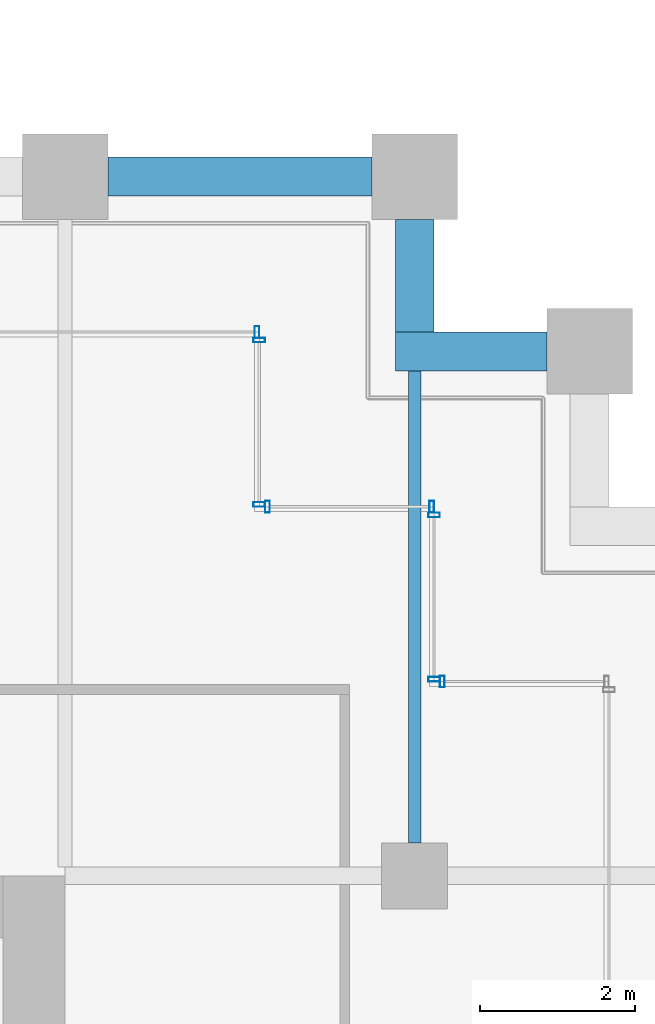
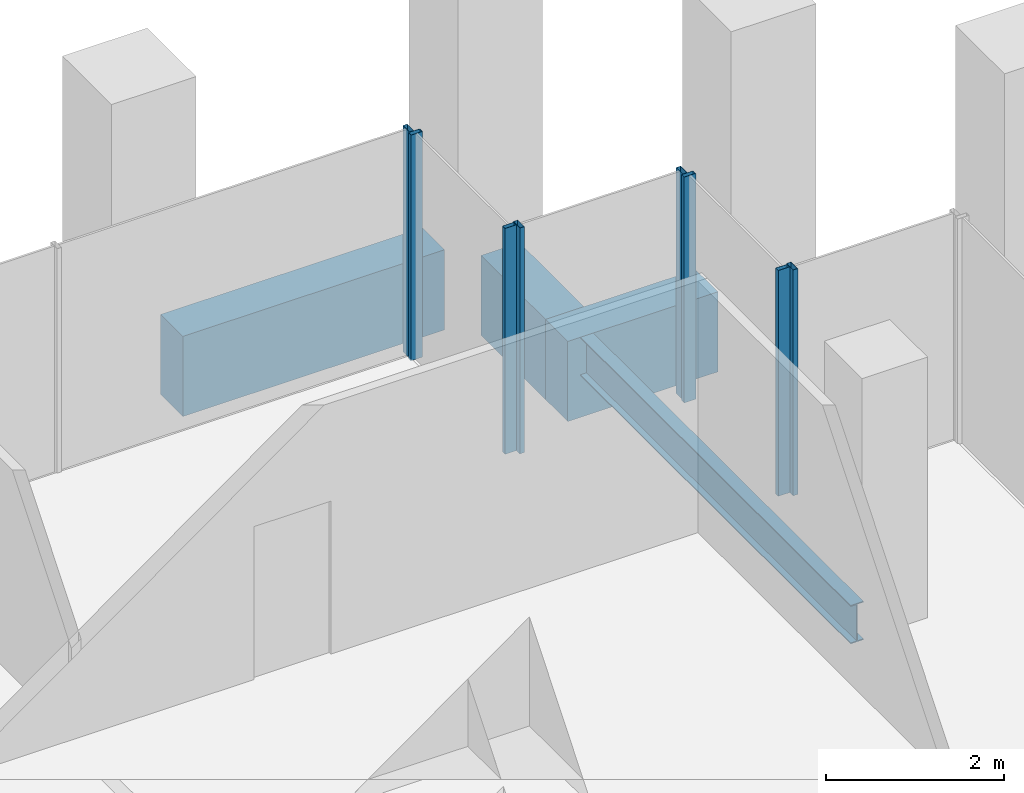
# One storey, part 45 of 56: 8 members, 4 beams, 5 elements without a shape of their own.
"""IFC4 building model written with IfcOpenShell, lengths in metres."""

from ifc_helpers import new_model, si_unit, direction, frame, origin, origin_2d, place, context, subcontext, project, spatial, rectangle, hollow_rectangle, i_section, extrude, material, material_profile, profile_set, type_object, element, aggregate, save


model = new_model("IFC4")

# Units and contexts
model_context = context("Model", 3, precision=1e-05, world=origin(), true_north=direction((0.0, 1.0)))
body_context = subcontext(model_context, "Body", "Model", "MODEL_VIEW")
ifc_project = project(units=[si_unit("LENGTHUNIT", "METRE"), si_unit("AREAUNIT", "SQUARE_METRE"), si_unit("VOLUMEUNIT", "CUBIC_METRE"), si_unit("PLANEANGLEUNIT", "RADIAN"), si_unit("MASSUNIT", "GRAM", prefix="KILO")], contexts=[model_context])

# Site, building, storey
site_placement = place(None, origin())
site = spatial("IfcSite", under=ifc_project, at=site_placement, CompositionType="ELEMENT")
building_placement = place(site_placement, origin())
building = spatial("IfcBuilding", under=site, at=building_placement, Name="Altepetl Exchange Towers", CompositionType="ELEMENT")
storey_placement = place(building_placement, frame((0.0, 0.0, 69.0)))
storey = spatial("IfcBuildingStorey", under=building, at=storey_placement, Name="L16", CompositionType="ELEMENT", Elevation=69.0)

# Beam
ifc_material_1 = material(Name="Steel S355", Category="steel")
ifc_material_profile_1 = material_profile(ifc_material_1, i_section(OverallWidth=0.166015625, OverallDepth=0.529052734375, WebThickness=0.009765625, FlangeThickness=0.013671875, at=origin_2d()), Name="W21X50")
ifc_profile_set_1 = profile_set([ifc_material_profile_1], Name="Steel S355")
beam_type_1 = type_object("IfcBeamType", Name="Floor beam W21X50", PredefinedType="BEAM", material=ifc_profile_set_1)
beam_1_placement = place(storey_placement, frame((121.5, 49.925048828125, -0.41455078125), z_axis=(0.0, 1.0, 0.0), x_axis=(-1.0, 0.0, 0.0)))
element("IfcBeam", 1, at=beam_1_placement, inside=storey, type_object=beam_type_1, Name="bm:B:L16:003", PredefinedType="BEAM", context=body_context, shape_type="SweptSolid", body=[
    extrude(i_section(OverallWidth=0.166015625, OverallDepth=0.529052734375, WebThickness=0.009765625, FlangeThickness=0.013671875, at=origin_2d()), origin(), (0.0, 0.0, 1.0), 6.074951171875),
])

# Curtain wall, member
ifc_material_2 = material(Name="Aluminium 6063-T6 glazing", Category="aluminium")
curtain_wall_type = type_object("IfcCurtainWallType", Name="Loggia glazing system", PredefinedType="NOTDEFINED", material=ifc_material_2)
curtain_wall_1_placement = place(storey_placement, origin())
curtain_wall_1 = element("IfcCurtainWall", 2, at=curtain_wall_1_placement, inside=storey, type_object=curtain_wall_type, Name="CW1 run", PredefinedType="NOTDEFINED")
ifc_material_3 = material(Name="Aluminium 6063-T6", Category="aluminium")
ifc_material_profile_2 = material_profile(ifc_material_3, hollow_rectangle(XDim=0.06005859375, YDim=0.14990234375, WallThickness=0.0029296875, at=origin_2d()), Name="Mullion 60x150 aluminium")
ifc_profile_set_2 = profile_set([ifc_material_profile_2], Name="Aluminium 6063-T6")
member_type = type_object("IfcMemberType", Name="Mullion 60x150 aluminium", PredefinedType="MULLION", material=ifc_profile_set_2)
member_1_placement = place(storey_placement, frame((121.85498046875, 52.0, 0.0), z_axis=(0.0, 0.0, 1.0), x_axis=(-1.0, 0.0, 0.0)))
member_1 = element("IfcMember", 3, at=member_1_placement, type_object=member_type, Name="MU1 mullion", PredefinedType="MULLION", context=body_context, shape_type="SweptSolid", body=[
    extrude(hollow_rectangle(XDim=0.06005859375, YDim=0.14990234375, WallThickness=0.0029296875, at=origin_2d()), origin(), (0.0, 0.0, 1.0), 3.10009765625),
])
aggregate(curtain_wall_1, [member_1])

# Curtain wall, members
curtain_wall_2_placement = place(storey_placement, origin())
curtain_wall_2 = element("IfcCurtainWall", 4, at=curtain_wall_2_placement, inside=storey, type_object=curtain_wall_type, Name="CW1 run", PredefinedType="NOTDEFINED")
member_2_placement = place(storey_placement, frame((121.75, 52.030029296875, 0.0), z_axis=(0.0, 0.0, 1.0), x_axis=(0.0, 1.0, 0.0)))
member_2 = element("IfcMember", 5, at=member_2_placement, type_object=member_type, Name="MU1 mullion", PredefinedType="MULLION", context=body_context, shape_type="SweptSolid", body=[
    extrude(hollow_rectangle(XDim=0.06005859375, YDim=0.14990234375, WallThickness=0.0029296875, at=origin_2d()), origin(), (0.0, 0.0, 1.0), 3.10009765625),
])
member_3_placement = place(storey_placement, frame((121.75, 54.14501953125, 0.0), z_axis=(0.0, 0.0, 1.0), x_axis=(0.0, 1.0, 0.0)))
member_3 = element("IfcMember", 6, at=member_3_placement, type_object=member_type, Name="MU1 mullion", PredefinedType="MULLION", context=body_context, shape_type="SweptSolid", body=[
    extrude(hollow_rectangle(XDim=0.06005859375, YDim=0.14990234375, WallThickness=0.0029296875, at=origin_2d()), origin(), (0.0, 0.0, 1.0), 3.10009765625),
])
aggregate(curtain_wall_2, [member_2, member_3])

curtain_wall_3_placement = place(storey_placement, origin())
curtain_wall_3 = element("IfcCurtainWall", 7, at=curtain_wall_3_placement, inside=storey, type_object=curtain_wall_type, Name="CW1 run", PredefinedType="NOTDEFINED")
member_4_placement = place(storey_placement, frame((121.719970703125, 54.25, 0.0), z_axis=(0.0, 0.0, 1.0), x_axis=(-1.0, 0.0, 0.0)))
member_4 = element("IfcMember", 8, at=member_4_placement, type_object=member_type, Name="MU1 mullion", PredefinedType="MULLION", context=body_context, shape_type="SweptSolid", body=[
    extrude(hollow_rectangle(XDim=0.06005859375, YDim=0.14990234375, WallThickness=0.0029296875, at=origin_2d()), origin(), (0.0, 0.0, 1.0), 3.10009765625),
])
member_5_placement = place(storey_placement, frame((119.60498046875, 54.25, 0.0), z_axis=(0.0, 0.0, 1.0), x_axis=(-1.0, 0.0, 0.0)))
member_5 = element("IfcMember", 9, at=member_5_placement, type_object=member_type, Name="MU1 mullion", PredefinedType="MULLION", context=body_context, shape_type="SweptSolid", body=[
    extrude(hollow_rectangle(XDim=0.06005859375, YDim=0.14990234375, WallThickness=0.0029296875, at=origin_2d()), origin(), (0.0, 0.0, 1.0), 3.10009765625),
])
aggregate(curtain_wall_3, [member_4, member_5])

curtain_wall_4_placement = place(storey_placement, origin())
curtain_wall_4 = element("IfcCurtainWall", 10, at=curtain_wall_4_placement, inside=storey, type_object=curtain_wall_type, Name="CW1 run", PredefinedType="NOTDEFINED")
member_6_placement = place(storey_placement, frame((119.5, 54.280029296875, 0.0), z_axis=(0.0, 0.0, 1.0), x_axis=(0.0, 1.0, 0.0)))
member_6 = element("IfcMember", 11, at=member_6_placement, type_object=member_type, Name="MU1 mullion", PredefinedType="MULLION", context=body_context, shape_type="SweptSolid", body=[
    extrude(hollow_rectangle(XDim=0.06005859375, YDim=0.14990234375, WallThickness=0.0029296875, at=origin_2d()), origin(), (0.0, 0.0, 1.0), 3.10009765625),
])
member_7_placement = place(storey_placement, frame((119.5, 56.39501953125, 0.0), z_axis=(0.0, 0.0, 1.0), x_axis=(0.0, 1.0, 0.0)))
member_7 = element("IfcMember", 12, at=member_7_placement, type_object=member_type, Name="MU1 mullion", PredefinedType="MULLION", context=body_context, shape_type="SweptSolid", body=[
    extrude(hollow_rectangle(XDim=0.06005859375, YDim=0.14990234375, WallThickness=0.0029296875, at=origin_2d()), origin(), (0.0, 0.0, 1.0), 3.10009765625),
])
aggregate(curtain_wall_4, [member_6, member_7])

# Curtain wall, member
curtain_wall_5_placement = place(storey_placement, origin())
curtain_wall_5 = element("IfcCurtainWall", 13, at=curtain_wall_5_placement, inside=storey, type_object=curtain_wall_type, Name="CW1 run", PredefinedType="NOTDEFINED")
member_8_placement = place(storey_placement, frame((119.469970703125, 56.5, 0.0), z_axis=(0.0, 0.0, 1.0), x_axis=(-1.0, 0.0, 0.0)))
member_8 = element("IfcMember", 14, at=member_8_placement, type_object=member_type, Name="MU1 mullion", PredefinedType="MULLION", context=body_context, shape_type="SweptSolid", body=[
    extrude(hollow_rectangle(XDim=0.06005859375, YDim=0.14990234375, WallThickness=0.0029296875, at=origin_2d()), origin(), (0.0, 0.0, 1.0), 3.10009765625),
])
aggregate(curtain_wall_5, [member_8])

# Beams
ifc_material_4 = material(Name="Concrete C50/60 precast with cantera amarilla facing", Category="concrete")
ifc_material_profile_3 = material_profile(ifc_material_4, rectangle(XDim=0.5, YDim=1.10009765625, at=origin_2d()), Name="500 x 1100")
ifc_profile_set_3 = profile_set([ifc_material_profile_3], Name="Concrete C50/60 precast with cantera amarilla facing")
beam_type_2 = type_object("IfcBeamType", Name="Spandrel beam 500x1100 cantera amarilla", PredefinedType="SPANDREL", material=ifc_profile_set_3)
beam_2_placement = place(storey_placement, frame((123.199951171875, 56.25, -0.699951171875), z_axis=(-1.0, 0.0, 0.0), x_axis=(0.0, -1.0, 0.0)))
element("IfcBeam", 15, at=beam_2_placement, inside=storey, type_object=beam_type_2, Name="sp:B:L16:016", PredefinedType="SPANDREL", context=body_context, shape_type="SweptSolid", body=[
    extrude(rectangle(XDim=0.5, YDim=1.10009765625, at=origin_2d()), origin(), (0.0, 0.0, 1.0), 1.949951171875),
])
beam_3_placement = place(storey_placement, frame((121.5, 56.5, -0.699951171875), z_axis=(0.0, 1.0, 0.0), x_axis=(-1.0, 0.0, 0.0)))
element("IfcBeam", 16, at=beam_3_placement, inside=storey, type_object=beam_type_2, Name="sp:B:L16:017", PredefinedType="SPANDREL", context=body_context, shape_type="SweptSolid", body=[
    extrude(rectangle(XDim=0.5, YDim=1.10009765625, at=origin_2d()), origin(), (0.0, 0.0, 1.0), 1.449951171875),
])
beam_4_placement = place(storey_placement, frame((120.949951171875, 58.5, -0.699951171875), z_axis=(-1.0, 0.0, 0.0), x_axis=(0.0, -1.0, 0.0)))
element("IfcBeam", 17, at=beam_4_placement, inside=storey, type_object=beam_type_2, Name="sp:B:L16:018", PredefinedType="SPANDREL", context=body_context, shape_type="SweptSolid", body=[
    extrude(rectangle(XDim=0.5, YDim=1.10009765625, at=origin_2d()), origin(), (0.0, 0.0, 1.0), 3.39990234375),
])

save(model, "model.ifc")
